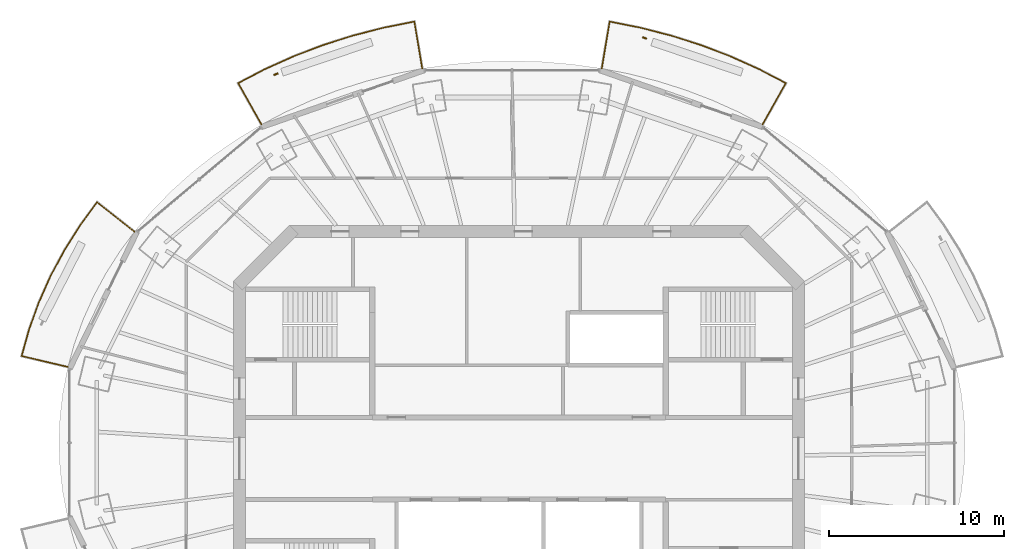
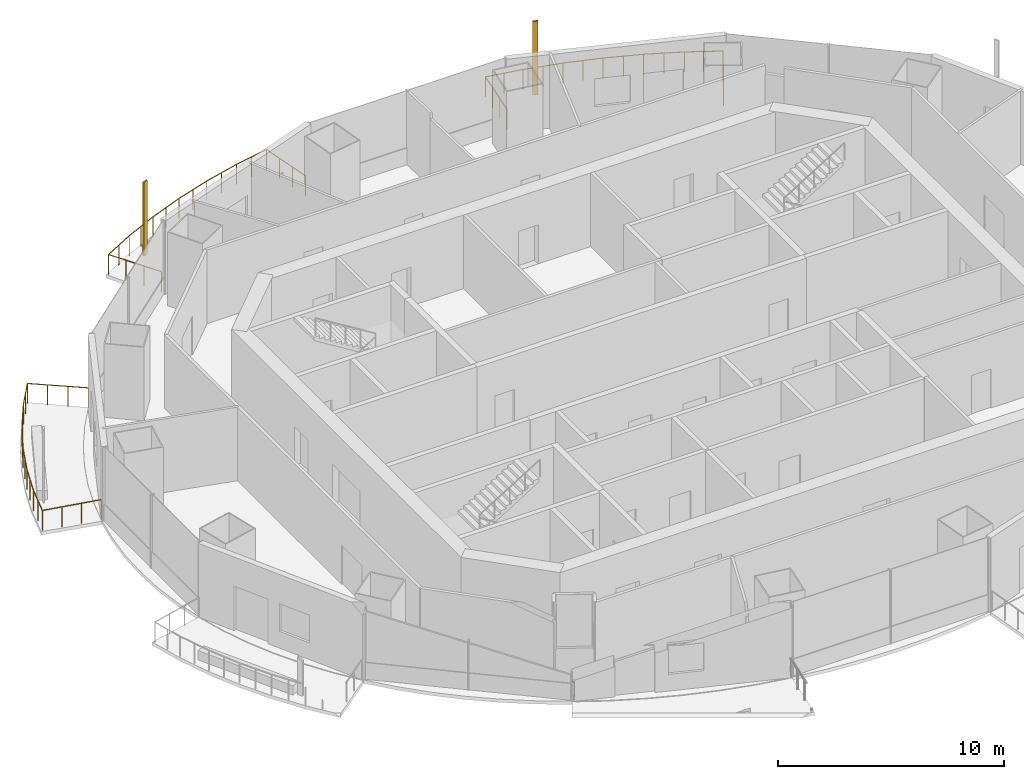
# One storey, part 14 of 16: 3 railings, 2 shading devices.
"""IFC4 building model written with IfcOpenShell, lengths in metres."""

from ifc_helpers import new_model, si_unit, direction, frame, origin, origin_2d, place, context, subcontext, project, spatial, rectangle, circle, extrude, material, material_profile, profile_set, type_object, element, save


model = new_model("IFC4")

# Units and contexts
model_context = context("Model", 3, precision=1e-05, world=origin(), true_north=direction((0.0, 1.0)))
body_context = subcontext(model_context, "Body", "Model", "MODEL_VIEW")
ifc_project = project(units=[si_unit("LENGTHUNIT", "METRE"), si_unit("AREAUNIT", "SQUARE_METRE"), si_unit("VOLUMEUNIT", "CUBIC_METRE"), si_unit("PLANEANGLEUNIT", "RADIAN"), si_unit("MASSUNIT", "GRAM", prefix="KILO")], contexts=[model_context])

# Site, building, storey
site_placement = place(None, origin())
site = spatial("IfcSite", under=ifc_project, at=site_placement, CompositionType="ELEMENT")
building_placement = place(site_placement, origin())
building = spatial("IfcBuilding", under=site, at=building_placement, Name="Marenthal Gate Tower", CompositionType="ELEMENT")
storey_placement = place(building_placement, frame((0.0, 0.0, 379.949951171875)))
storey = spatial("IfcBuildingStorey", under=building, at=storey_placement, Name="L86", CompositionType="ELEMENT", Elevation=379.949951171875)

# Railings
ifc_material_1 = material(Name="Stainless steel", Category="steel")
railing_type = type_object("IfcRailingType", Name="Balcony guard 1100", PredefinedType="GUARDRAIL", material=ifc_material_1)
railing_1_placement = place(storey_placement, frame((4.739990234375, 22.331787109375, 0.0)))
element("IfcRailing", 1, at=railing_1_placement, inside=storey, type_object=railing_type, Name="Balcony guard L86 bay 3", PredefinedType="GUARDRAIL", context=body_context, shape_type="SweptSolid", body=[
    extrude(circle(Radius=0.02392578125, at=origin_2d()), frame((0.0, 0.0, 1.076171875), z_axis=(0.165414456926, 0.986114290962, -0.01471946334), x_axis=(-0.986221135368, 0.165432379401, 0.0)), (0.0, 0.0, 1.0), 2.72021484375),
    extrude(circle(Radius=0.02392578125, at=origin_2d()), frame((0.449951171875, 2.682373046875, 1.0361328125), z_axis=(0.980989908715, -0.194058751412, 0.0), x_axis=(0.194058751412, 0.980989908715, 0.0)), (0.0, 0.0, 1.0), 1.757568359375),
    extrude(circle(Radius=0.02392578125, at=origin_2d()), frame((2.174072265625, 2.34130859375, 1.0361328125), z_axis=(0.968818339515, -0.247772123168, 0.0), x_axis=(0.247772123168, 0.968818339515, 0.0)), (0.0, 0.0, 1.0), 1.830810546875),
    extrude(circle(Radius=0.02392578125, at=origin_2d()), frame((3.94775390625, 1.8876953125, 1.0361328125), z_axis=(0.953152472364, -0.302490271623, 0.0), x_axis=(0.302490271623, 0.953152472364, 0.0)), (0.0, 0.0, 1.0), 1.822509765625),
    extrude(circle(Radius=0.02392578125, at=origin_2d()), frame((5.684814453125, 1.33642578125, 1.0361328125), z_axis=(0.934220833683, -0.356695155438, 0.0), x_axis=(0.356695155438, 0.934220833683, 0.0)), (0.0, 0.0, 1.0), 1.813232421875),
    extrude(circle(Radius=0.02392578125, at=origin_2d()), frame((7.378662109375, 0.689697265625, 1.0361328125), z_axis=(0.911738959801, -0.410770092851, 0.0), x_axis=(0.410770092851, 0.911738959801, 0.0)), (0.0, 0.0, 1.0), 1.802734375),
    extrude(circle(Radius=0.02392578125, at=origin_2d()), frame((9.022216796875, -0.05078125, 1.0361328125), z_axis=(0.886322623965, -0.463068252257, 0.0), x_axis=(0.463068252257, 0.886322623965, 0.0)), (0.0, 0.0, 1.0), 1.7109375),
    extrude(circle(Radius=0.02392578125, at=origin_2d()), frame((10.53857421875, -0.843017578125, 1.0361328125), z_axis=(-0.491021790399, -0.871022934714, 0.014718986223), x_axis=(0.871117302978, -0.491074988624, 0.0)), (0.0, 0.0, 1.0), 2.72021484375),
    extrude(circle(Radius=0.02099609375, at=origin_2d()), origin(), (0.0, 0.0, 1.0), 1.052001953125),
    extrude(circle(Radius=0.02099609375, at=origin_2d()), frame((0.14990234375, 0.89404296875, -0.013427734375)), (0.0, 0.0, 1.0), 1.052001953125),
    extrude(circle(Radius=0.02099609375, at=origin_2d()), frame((0.300048828125, 1.788330078125, -0.026611328125)), (0.0, 0.0, 1.0), 1.052001953125),
    extrude(circle(Radius=0.02099609375, at=origin_2d()), frame((0.449951171875, 2.682373046875, -0.0400390625)), (0.0, 0.0, 1.0), 1.052001953125),
    extrude(circle(Radius=0.02099609375, at=origin_2d()), frame((1.31201171875, 2.51171875, -0.0400390625)), (0.0, 0.0, 1.0), 1.052001953125),
    extrude(circle(Radius=0.02099609375, at=origin_2d()), frame((2.174072265625, 2.34130859375, -0.0400390625)), (0.0, 0.0, 1.0), 1.052001953125),
    extrude(circle(Radius=0.02099609375, at=origin_2d()), frame((3.06103515625, 2.114501953125, -0.0400390625)), (0.0, 0.0, 1.0), 1.052001953125),
    extrude(circle(Radius=0.02099609375, at=origin_2d()), frame((3.94775390625, 1.8876953125, -0.0400390625)), (0.0, 0.0, 1.0), 1.052001953125),
    extrude(circle(Radius=0.02099609375, at=origin_2d()), frame((4.81640625, 1.612060546875, -0.0400390625)), (0.0, 0.0, 1.0), 1.052001953125),
    extrude(circle(Radius=0.02099609375, at=origin_2d()), frame((5.684814453125, 1.33642578125, -0.0400390625)), (0.0, 0.0, 1.0), 1.052001953125),
    extrude(circle(Radius=0.02099609375, at=origin_2d()), frame((6.53173828125, 1.01318359375, -0.0400390625)), (0.0, 0.0, 1.0), 1.052001953125),
    extrude(circle(Radius=0.02099609375, at=origin_2d()), frame((7.378662109375, 0.689697265625, -0.0400390625)), (0.0, 0.0, 1.0), 1.052001953125),
    extrude(circle(Radius=0.02099609375, at=origin_2d()), frame((8.200439453125, 0.3193359375, -0.0400390625)), (0.0, 0.0, 1.0), 1.052001953125),
    extrude(circle(Radius=0.02099609375, at=origin_2d()), frame((9.022216796875, -0.05078125, -0.0400390625)), (0.0, 0.0, 1.0), 1.052001953125),
    extrude(circle(Radius=0.02099609375, at=origin_2d()), frame((9.7802734375, -0.44677734375, -0.0400390625)), (0.0, 0.0, 1.0), 1.052001953125),
    extrude(circle(Radius=0.02099609375, at=origin_2d()), frame((10.53857421875, -0.843017578125, -0.0400390625)), (0.0, 0.0, 1.0), 1.052001953125),
    extrude(circle(Radius=0.02099609375, at=origin_2d()), frame((10.09326171875, -1.6328125, -0.026611328125)), (0.0, 0.0, 1.0), 1.052001953125),
    extrude(circle(Radius=0.02099609375, at=origin_2d()), frame((9.648193359375, -2.422607421875, -0.013427734375)), (0.0, 0.0, 1.0), 1.052001953125),
    extrude(circle(Radius=0.02099609375, at=origin_2d()), frame((9.202880859375, -3.21240234375, 0.0)), (0.0, 0.0, 1.0), 1.052001953125),
])
railing_2_placement = place(storey_placement, frame((-14.742919921875, 19.119384765625, 0.0)))
element("IfcRailing", 2, at=railing_2_placement, inside=storey, type_object=railing_type, Name="Balcony guard L86 bay 5", PredefinedType="GUARDRAIL", context=body_context, shape_type="SweptSolid", body=[
    extrude(circle(Radius=0.02392578125, at=origin_2d()), frame((0.0, 0.0, 1.076171875), z_axis=(-0.491021790399, 0.871022934714, -0.014718986223), x_axis=(-0.871117302978, -0.491074988624, 0.0)), (0.0, 0.0, 1.0), 2.72021484375),
    extrude(circle(Radius=0.02392578125, at=origin_2d()), frame((-1.335693359375, 2.369384765625, 1.0361328125), z_axis=(0.886322623965, 0.463068252257, 0.0), x_axis=(-0.463068252257, 0.886322623965, 0.0)), (0.0, 0.0, 1.0), 1.7109375),
    extrude(circle(Radius=0.02392578125, at=origin_2d()), frame((0.1806640625, 3.16162109375, 1.0361328125), z_axis=(0.911738959801, 0.410770092851, 0.0), x_axis=(-0.410770092851, 0.911738959801, 0.0)), (0.0, 0.0, 1.0), 1.802734375),
    extrude(circle(Radius=0.02392578125, at=origin_2d()), frame((1.82421875, 3.902099609375, 1.0361328125), z_axis=(0.934220833683, 0.356695155438, 0.0), x_axis=(-0.356695155438, 0.934220833683, 0.0)), (0.0, 0.0, 1.0), 1.813232421875),
    extrude(circle(Radius=0.02392578125, at=origin_2d()), frame((3.51806640625, 4.548828125, 1.0361328125), z_axis=(0.953152472364, 0.302490271623, 0.0), x_axis=(-0.302490271623, 0.953152472364, 0.0)), (0.0, 0.0, 1.0), 1.822509765625),
    extrude(circle(Radius=0.02392578125, at=origin_2d()), frame((5.255126953125, 5.10009765625, 1.0361328125), z_axis=(0.968818339515, 0.247772123168, 0.0), x_axis=(-0.247772123168, 0.968818339515, 0.0)), (0.0, 0.0, 1.0), 1.830810546875),
    extrude(circle(Radius=0.02392578125, at=origin_2d()), frame((7.02880859375, 5.5537109375, 1.0361328125), z_axis=(0.980989908715, 0.194058751412, 0.0), x_axis=(-0.194058751412, 0.980989908715, 0.0)), (0.0, 0.0, 1.0), 1.757568359375),
    extrude(circle(Radius=0.02392578125, at=origin_2d()), frame((8.7529296875, 5.894775390625, 1.0361328125), z_axis=(0.165501751995, -0.986099647054, 0.014719244754), x_axis=(0.9862064867, 0.165519683396, 0.0)), (0.0, 0.0, 1.0), 2.72021484375),
    extrude(circle(Radius=0.02099609375, at=origin_2d()), origin(), (0.0, 0.0, 1.0), 1.052001953125),
    extrude(circle(Radius=0.02099609375, at=origin_2d()), frame((-0.4453125, 0.789794921875, -0.013427734375)), (0.0, 0.0, 1.0), 1.052001953125),
    extrude(circle(Radius=0.02099609375, at=origin_2d()), frame((-0.890380859375, 1.57958984375, -0.026611328125)), (0.0, 0.0, 1.0), 1.052001953125),
    extrude(circle(Radius=0.02099609375, at=origin_2d()), frame((-1.335693359375, 2.369384765625, -0.0400390625)), (0.0, 0.0, 1.0), 1.052001953125),
    extrude(circle(Radius=0.02099609375, at=origin_2d()), frame((-0.57763671875, 2.765625, -0.0400390625)), (0.0, 0.0, 1.0), 1.052001953125),
    extrude(circle(Radius=0.02099609375, at=origin_2d()), frame((0.1806640625, 3.16162109375, -0.0400390625)), (0.0, 0.0, 1.0), 1.052001953125),
    extrude(circle(Radius=0.02099609375, at=origin_2d()), frame((1.00244140625, 3.53173828125, -0.0400390625)), (0.0, 0.0, 1.0), 1.052001953125),
    extrude(circle(Radius=0.02099609375, at=origin_2d()), frame((1.82421875, 3.902099609375, -0.0400390625)), (0.0, 0.0, 1.0), 1.052001953125),
    extrude(circle(Radius=0.02099609375, at=origin_2d()), frame((2.671142578125, 4.2255859375, -0.0400390625)), (0.0, 0.0, 1.0), 1.052001953125),
    extrude(circle(Radius=0.02099609375, at=origin_2d()), frame((3.51806640625, 4.548828125, -0.0400390625)), (0.0, 0.0, 1.0), 1.052001953125),
    extrude(circle(Radius=0.02099609375, at=origin_2d()), frame((4.38671875, 4.824462890625, -0.0400390625)), (0.0, 0.0, 1.0), 1.052001953125),
    extrude(circle(Radius=0.02099609375, at=origin_2d()), frame((5.255126953125, 5.10009765625, -0.0400390625)), (0.0, 0.0, 1.0), 1.052001953125),
    extrude(circle(Radius=0.02099609375, at=origin_2d()), frame((6.14208984375, 5.326904296875, -0.0400390625)), (0.0, 0.0, 1.0), 1.052001953125),
    extrude(circle(Radius=0.02099609375, at=origin_2d()), frame((7.02880859375, 5.5537109375, -0.0400390625)), (0.0, 0.0, 1.0), 1.052001953125),
    extrude(circle(Radius=0.02099609375, at=origin_2d()), frame((7.890869140625, 5.72412109375, -0.0400390625)), (0.0, 0.0, 1.0), 1.052001953125),
    extrude(circle(Radius=0.02099609375, at=origin_2d()), frame((8.7529296875, 5.894775390625, -0.0400390625)), (0.0, 0.0, 1.0), 1.052001953125),
    extrude(circle(Radius=0.02099609375, at=origin_2d()), frame((8.903076171875, 5.000732421875, -0.026611328125)), (0.0, 0.0, 1.0), 1.052001953125),
    extrude(circle(Radius=0.02099609375, at=origin_2d()), frame((9.052978515625, 4.1064453125, -0.013427734375)), (0.0, 0.0, 1.0), 1.052001953125),
    extrude(circle(Radius=0.02099609375, at=origin_2d()), frame((9.203125, 3.21240234375, 0.0)), (0.0, 0.0, 1.0), 1.052001953125),
])
railing_3_placement = place(storey_placement, frame((-25.8251953125, 5.243408203125, 0.0)))
element("IfcRailing", 3, at=railing_3_placement, inside=storey, type_object=railing_type, Name="Balcony guard L86 bay 7", PredefinedType="GUARDRAIL", context=body_context, shape_type="SweptSolid", body=[
    extrude(circle(Radius=0.02392578125, at=origin_2d()), frame((0.0, 0.0, 1.076171875), z_axis=(-0.973222195999, 0.229394682126, -0.014718594628), x_axis=(-0.229419533855, -0.973327631112, 0.0)), (0.0, 0.0, 1.0), 2.72021484375),
    extrude(circle(Radius=0.02392578125, at=origin_2d()), frame((-2.6474609375, 0.6240234375, 1.0361328125), z_axis=(0.268420452005, 0.963301853494, 0.0), x_axis=(-0.963301853494, 0.268420452005, 0.0)), (0.0, 0.0, 1.0), 1.572509765625),
    extrude(circle(Radius=0.02392578125, at=origin_2d()), frame((-2.225341796875, 2.138916015625, 1.0361328125), z_axis=(0.338610035627, 0.940926800433, 0.0), x_axis=(-0.940926800433, 0.338610035627, 0.0)), (0.0, 0.0, 1.0), 1.658935546875),
    extrude(circle(Radius=0.02392578125, at=origin_2d()), frame((-1.66357421875, 3.699951171875, 1.0361328125), z_axis=(0.407605060016, 0.913158318721, 0.0), x_axis=(-0.913158318721, 0.407605060016, 0.0)), (0.0, 0.0, 1.0), 1.66748046875),
    extrude(circle(Radius=0.02392578125, at=origin_2d()), frame((-0.98388671875, 5.22265625, 1.0361328125), z_axis=(0.473457232822, 0.880816807679, 0.0), x_axis=(-0.880816807679, 0.473457232822, 0.0)), (0.0, 0.0, 1.0), 1.677001953125),
    extrude(circle(Radius=0.02392578125, at=origin_2d()), frame((-0.18994140625, 6.69970703125, 1.0361328125), z_axis=(0.535630087493, 0.844452727731, 0.0), x_axis=(-0.844452727731, 0.535630087493, 0.0)), (0.0, 0.0, 1.0), 1.687744140625),
    extrude(circle(Radius=0.02392578125, at=origin_2d()), frame((0.714111328125, 8.125, 1.0361328125), z_axis=(0.592180333089, 0.805805468524, 0.0), x_axis=(-0.805805468524, 0.592180333089, 0.0)), (0.0, 0.0, 1.0), 1.619384765625),
    extrude(circle(Radius=0.02392578125, at=origin_2d()), frame((1.673095703125, 9.429931640625, 1.0361328125), z_axis=(0.783891722645, -0.620723054021, 0.014719285839), x_axis=(0.620790307063, 0.783976654408, 0.0)), (0.0, 0.0, 1.0), 2.72021484375),
    extrude(circle(Radius=0.02099609375, at=origin_2d()), origin(), (0.0, 0.0, 1.0), 1.052001953125),
    extrude(circle(Radius=0.02099609375, at=origin_2d()), frame((-0.882568359375, 0.2080078125, -0.013427734375)), (0.0, 0.0, 1.0), 1.052001953125),
    extrude(circle(Radius=0.02099609375, at=origin_2d()), frame((-1.764892578125, 0.416015625, -0.026611328125)), (0.0, 0.0, 1.0), 1.052001953125),
    extrude(circle(Radius=0.02099609375, at=origin_2d()), frame((-2.6474609375, 0.6240234375, -0.0400390625)), (0.0, 0.0, 1.0), 1.052001953125),
    extrude(circle(Radius=0.02099609375, at=origin_2d()), frame((-2.4365234375, 1.38134765625, -0.0400390625)), (0.0, 0.0, 1.0), 1.052001953125),
    extrude(circle(Radius=0.02099609375, at=origin_2d()), frame((-2.225341796875, 2.138916015625, -0.0400390625)), (0.0, 0.0, 1.0), 1.052001953125),
    extrude(circle(Radius=0.02099609375, at=origin_2d()), frame((-1.9443359375, 2.91943359375, -0.0400390625)), (0.0, 0.0, 1.0), 1.052001953125),
    extrude(circle(Radius=0.02099609375, at=origin_2d()), frame((-1.66357421875, 3.699951171875, -0.0400390625)), (0.0, 0.0, 1.0), 1.052001953125),
    extrude(circle(Radius=0.02099609375, at=origin_2d()), frame((-1.32373046875, 4.46142578125, -0.0400390625)), (0.0, 0.0, 1.0), 1.052001953125),
    extrude(circle(Radius=0.02099609375, at=origin_2d()), frame((-0.98388671875, 5.22265625, -0.0400390625)), (0.0, 0.0, 1.0), 1.052001953125),
    extrude(circle(Radius=0.02099609375, at=origin_2d()), frame((-0.5869140625, 5.961181640625, -0.0400390625)), (0.0, 0.0, 1.0), 1.052001953125),
    extrude(circle(Radius=0.02099609375, at=origin_2d()), frame((-0.18994140625, 6.69970703125, -0.0400390625)), (0.0, 0.0, 1.0), 1.052001953125),
    extrude(circle(Radius=0.02099609375, at=origin_2d()), frame((0.26220703125, 7.412353515625, -0.0400390625)), (0.0, 0.0, 1.0), 1.052001953125),
    extrude(circle(Radius=0.02099609375, at=origin_2d()), frame((0.714111328125, 8.125, -0.0400390625)), (0.0, 0.0, 1.0), 1.052001953125),
    extrude(circle(Radius=0.02099609375, at=origin_2d()), frame((1.193603515625, 8.77734375, -0.0400390625)), (0.0, 0.0, 1.0), 1.052001953125),
    extrude(circle(Radius=0.02099609375, at=origin_2d()), frame((1.673095703125, 9.429931640625, -0.0400390625)), (0.0, 0.0, 1.0), 1.052001953125),
    extrude(circle(Radius=0.02099609375, at=origin_2d()), frame((2.3837890625, 8.8671875, -0.026611328125)), (0.0, 0.0, 1.0), 1.052001953125),
    extrude(circle(Radius=0.02099609375, at=origin_2d()), frame((3.0947265625, 8.30419921875, -0.013427734375)), (0.0, 0.0, 1.0), 1.052001953125),
    extrude(circle(Radius=0.02099609375, at=origin_2d()), frame((3.805419921875, 7.741455078125, 0.0)), (0.0, 0.0, 1.0), 1.052001953125),
])

# Shading devices
ifc_material_2 = material(Name="Terracotta", Category="masonry")
ifc_material_profile = material_profile(ifc_material_2, rectangle(XDim=0.25, YDim=0.080078125, at=origin_2d()), Name="Terracotta baguette 250x80")
ifc_profile_set = profile_set([ifc_material_profile], Name="Terracotta")
shading_device_type = type_object("IfcShadingDeviceType", Name="Terracotta BAGUETTE SCREEN 250x80", PredefinedType="USERDEFINED", material=ifc_profile_set)
for number, where, z_axis, x_axis, name in (
    (4, (7.192626953125, 24.072509765625, -0.0400390625), (0.0, 0.0, 1.0), (-0.944082187386, 0.329710211338, 0.0), "Terracotta BAGUETTE L86 bay 3R"),
    (5, (-13.913330078125, 22.0048828125, -0.0400390625), (0.0, 0.0, 1.0), (-0.944082187386, -0.329710211338, 0.0), "Terracotta BAGUETTE L86 bay 5R"),
):
    element("IfcShadingDevice", number, at=place(storey_placement, frame(where, z_axis=z_axis, x_axis=x_axis)), inside=storey, type_object=shading_device_type, Name=name, ObjectType="BAGUETTE SCREEN", PredefinedType="USERDEFINED", context=body_context, shape_type="SweptSolid", body=[
        extrude(rectangle(XDim=0.25, YDim=0.080078125, at=origin_2d()), origin(), (0.0, 0.0, 1.0), 3.969970703125),
    ])

save(model, "model.ifc")
